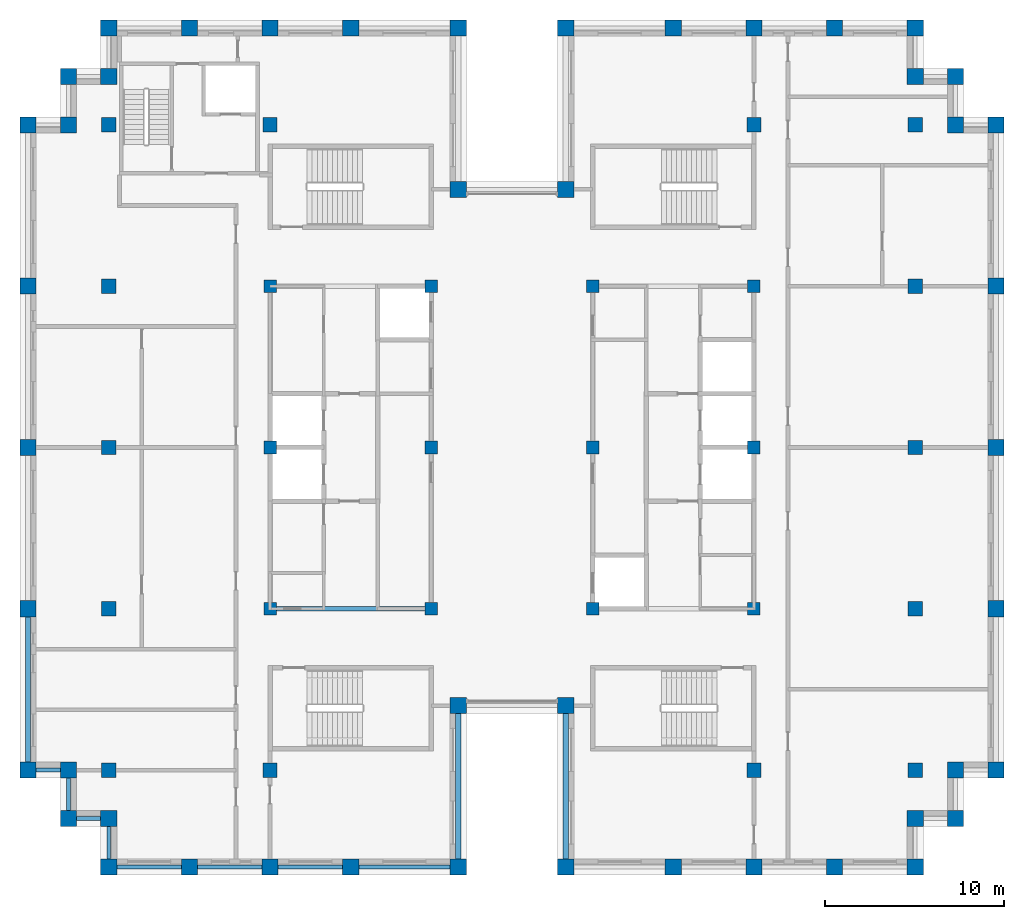
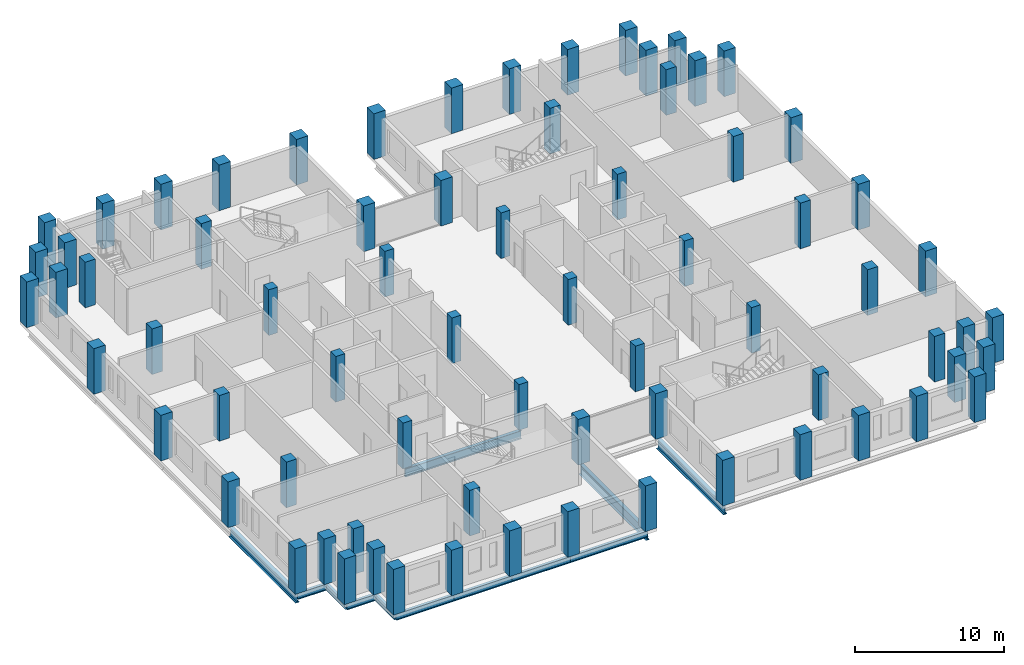
# One storey, part 1 of 13: 72 columns, 12 beams.
"""IFC4 building model written with IfcOpenShell, lengths in metres."""

from ifc_helpers import new_model, si_unit, direction, frame, origin, origin_2d, place, context, subcontext, project, spatial, rectangle, i_section, extrude, material, material_profile, profile_set, type_object, element, save


model = new_model("IFC4")

# Units and contexts
model_context = context("Model", 3, precision=1e-05, world=origin(), true_north=direction((0.0, 1.0)))
body_context = subcontext(model_context, "Body", "Model", "MODEL_VIEW")
ifc_project = project(units=[si_unit("LENGTHUNIT", "METRE"), si_unit("AREAUNIT", "SQUARE_METRE"), si_unit("VOLUMEUNIT", "CUBIC_METRE"), si_unit("PLANEANGLEUNIT", "RADIAN"), si_unit("MASSUNIT", "GRAM", prefix="KILO")], contexts=[model_context])

# Site, building, storey
site_placement = place(None, origin())
site = spatial("IfcSite", under=ifc_project, at=site_placement, CompositionType="ELEMENT")
building_placement = place(site_placement, origin())
building = spatial("IfcBuilding", under=site, at=building_placement, Name="Corbelhall Arena Tower", CompositionType="ELEMENT")
storey_placement = place(building_placement, frame((0.0, 0.0, 304.0)))
storey = spatial("IfcBuildingStorey", under=building, at=storey_placement, Name="L66", CompositionType="ELEMENT", Elevation=304.0)

# Columns
ifc_material_1 = material(Name="Concrete C80/95", Category="concrete")
ifc_material_profile_1 = material_profile(ifc_material_1, rectangle(XDim=0.699951171875, YDim=0.699951171875, at=origin_2d()))
ifc_profile_set_1 = profile_set([ifc_material_profile_1], Name="Concrete C80/95")
column_type_1 = type_object("IfcColumnType", Name="ST-COL-RC 700x700", PredefinedType="COLUMN", material=ifc_profile_set_1)
for number, where, z_axis, x_axis, name in (
    (1, (4.5, 0.0, 0.0), (0.0, 0.0, 1.0), (1.0, 0.0, 0.0), "Column KE+0450+0000"),
    (2, (4.5, 9.0, 0.0), (0.0, 0.0, 1.0), (1.0, 0.0, 0.0), "Column KE+0450+0900"),
    (3, (4.5, -9.0, 0.0), (0.0, 0.0, 1.0), (1.0, 0.0, 0.0), "Column KE+0450-0900"),
    (4, (13.5, 0.0, 0.0), (0.0, 0.0, 1.0), (1.0, 0.0, 0.0), "Column KE+1350+0000"),
    (5, (13.5, 9.0, 0.0), (0.0, 0.0, 1.0), (1.0, 0.0, 0.0), "Column KE+1350+0900"),
    (6, (13.5, -9.0, 0.0), (0.0, 0.0, 1.0), (1.0, 0.0, 0.0), "Column KE+1350-0900"),
    (7, (-4.5, 0.0, 0.0), (0.0, 0.0, 1.0), (1.0, 0.0, 0.0), "Column KW-0450+0000"),
    (8, (-4.5, 9.0, 0.0), (0.0, 0.0, 1.0), (1.0, 0.0, 0.0), "Column KW-0450+0900"),
    (9, (-4.5, -9.0, 0.0), (0.0, 0.0, 1.0), (1.0, 0.0, 0.0), "Column KW-0450-0900"),
    (10, (-13.5, 0.0, 0.0), (0.0, 0.0, 1.0), (1.0, 0.0, 0.0), "Column KW-1350+0000"),
    (11, (-13.5, 9.0, 0.0), (0.0, 0.0, 1.0), (1.0, 0.0, 0.0), "Column KW-1350+0900"),
    (12, (-13.5, -9.0, 0.0), (0.0, 0.0, 1.0), (1.0, 0.0, 0.0), "Column KW-1350-0900"),
):
    element("IfcColumn", number, at=place(storey_placement, frame(where, z_axis=z_axis, x_axis=x_axis)), inside=storey, type_object=column_type_1, Name=name, PredefinedType="COLUMN", context=body_context, shape_type="SweptSolid", body=[
        extrude(rectangle(XDim=0.699951171875, YDim=0.699951171875, at=origin_2d()), origin(), (0.0, 0.0, 1.0), 3.739990234375),
    ])
ifc_material_profile_2 = material_profile(ifc_material_1, rectangle(XDim=0.800048828125, YDim=0.800048828125, at=origin_2d()))
ifc_profile_set_2 = profile_set([ifc_material_profile_2], Name="Concrete C80/95")
column_type_2 = type_object("IfcColumnType", Name="ST-COL-RC 800x800", PredefinedType="COLUMN", material=ifc_profile_set_2)
for number, where, z_axis, x_axis, name in (
    (13, (13.5, 18.0, 0.0), (0.0, 0.0, 1.0), (1.0, 0.0, 0.0), "Column IE13+1800"),
    (14, (13.5, -18.0, 0.0), (0.0, 0.0, 1.0), (1.0, 0.0, 0.0), "Column IE13-1800"),
    (15, (22.5, 0.0, 0.0), (0.0, 0.0, 1.0), (1.0, 0.0, 0.0), "Column IE22+0000"),
    (16, (22.5, 9.0, 0.0), (0.0, 0.0, 1.0), (1.0, 0.0, 0.0), "Column IE22+0900"),
    (17, (22.5, 18.0, 0.0), (0.0, 0.0, 1.0), (1.0, 0.0, 0.0), "Column IE22+1800"),
    (18, (22.5, -9.0, 0.0), (0.0, 0.0, 1.0), (1.0, 0.0, 0.0), "Column IE22-0900"),
    (19, (22.5, -18.0, 0.0), (0.0, 0.0, 1.0), (1.0, 0.0, 0.0), "Column IE22-1800"),
    (20, (-13.5, 18.0, 0.0), (0.0, 0.0, 1.0), (1.0, 0.0, 0.0), "Column IW13+1800"),
    (21, (-13.5, -18.0, 0.0), (0.0, 0.0, 1.0), (1.0, 0.0, 0.0), "Column IW13-1800"),
    (22, (-22.5, 0.0, 0.0), (0.0, 0.0, 1.0), (1.0, 0.0, 0.0), "Column IW22+0000"),
    (23, (-22.5, 9.0, 0.0), (0.0, 0.0, 1.0), (1.0, 0.0, 0.0), "Column IW22+0900"),
    (24, (-22.5, 18.0, 0.0), (0.0, 0.0, 1.0), (1.0, 0.0, 0.0), "Column IW22+1800"),
    (25, (-22.5, -9.0, 0.0), (0.0, 0.0, 1.0), (1.0, 0.0, 0.0), "Column IW22-0900"),
    (26, (-22.5, -18.0, 0.0), (0.0, 0.0, 1.0), (1.0, 0.0, 0.0), "Column IW22-1800"),
):
    element("IfcColumn", number, at=place(storey_placement, frame(where, z_axis=z_axis, x_axis=x_axis)), inside=storey, type_object=column_type_2, Name=name, PredefinedType="COLUMN", context=body_context, shape_type="SweptSolid", body=[
        extrude(rectangle(XDim=0.800048828125, YDim=0.800048828125, at=origin_2d()), origin(), (0.0, 0.0, 1.0), 3.739990234375),
    ])
ifc_material_profile_3 = material_profile(ifc_material_1, rectangle(XDim=0.89990234375, YDim=0.89990234375, at=origin_2d()))
ifc_profile_set_3 = profile_set([ifc_material_profile_3], Name="Concrete C80/95")
column_type_3 = type_object("IfcColumnType", Name="ST-COL-RC 900x900", PredefinedType="COLUMN", material=ifc_profile_set_3)
for number, where, z_axis, x_axis, name in (
    (27, (27.0, 0.0, 0.0), (0.0, 0.0, 1.0), (0.0, 1.0, 0.0), "Column PE+0000"),
    (28, (27.0, 9.0, 0.0), (0.0, 0.0, 1.0), (0.0, 1.0, 0.0), "Column PE+0900"),
    (29, (27.0, 18.0, 0.0), (0.0, 0.0, 1.0), (0.0, 1.0, 0.0), "Column PE+1800"),
    (30, (27.0, -9.0, 0.0), (0.0, 0.0, 1.0), (0.0, 1.0, 0.0), "Column PE-0900"),
    (31, (27.0, -18.0, 0.0), (0.0, 0.0, 1.0), (0.0, 1.0, 0.0), "Column PE-1800"),
    (32, (3.0, 23.39990234375, 0.0), (0.0, 0.0, 1.0), (1.0, 0.0, 0.0), "Column PNE0300"),
    (33, (9.0, 23.39990234375, 0.0), (0.0, 0.0, 1.0), (1.0, 0.0, 0.0), "Column PNE0900"),
    (34, (13.5, 23.39990234375, 0.0), (0.0, 0.0, 1.0), (1.0, 0.0, 0.0), "Column PNE1350"),
    (35, (18.0, 23.39990234375, 0.0), (0.0, 0.0, 1.0), (1.0, 0.0, 0.0), "Column PNE1800"),
    (36, (22.5, 23.39990234375, 0.0), (0.0, 0.0, 1.0), (1.0, 0.0, 0.0), "Column PNE2250"),
    (37, (-3.0, 23.39990234375, 0.0), (0.0, 0.0, 1.0), (1.0, 0.0, 0.0), "Column PNW0300"),
    (38, (-9.0, 23.39990234375, 0.0), (0.0, 0.0, 1.0), (1.0, 0.0, 0.0), "Column PNW0900"),
    (39, (-13.5, 23.39990234375, 0.0), (0.0, 0.0, 1.0), (1.0, 0.0, 0.0), "Column PNW1350"),
    (40, (-18.0, 23.39990234375, 0.0), (0.0, 0.0, 1.0), (1.0, 0.0, 0.0), "Column PNW1800"),
    (41, (-22.5, 23.39990234375, 0.0), (0.0, 0.0, 1.0), (1.0, 0.0, 0.0), "Column PNW2250"),
    (42, (3.0, -23.39990234375, 0.0), (0.0, 0.0, 1.0), (1.0, 0.0, 0.0), "Column PSE0300"),
    (43, (9.0, -23.39990234375, 0.0), (0.0, 0.0, 1.0), (1.0, 0.0, 0.0), "Column PSE0900"),
    (44, (13.5, -23.39990234375, 0.0), (0.0, 0.0, 1.0), (1.0, 0.0, 0.0), "Column PSE1350"),
    (45, (18.0, -23.39990234375, 0.0), (0.0, 0.0, 1.0), (1.0, 0.0, 0.0), "Column PSE1800"),
    (46, (22.5, -23.39990234375, 0.0), (0.0, 0.0, 1.0), (1.0, 0.0, 0.0), "Column PSE2250"),
    (47, (-3.0, -23.39990234375, 0.0), (0.0, 0.0, 1.0), (1.0, 0.0, 0.0), "Column PSW0300"),
    (48, (-9.0, -23.39990234375, 0.0), (0.0, 0.0, 1.0), (1.0, 0.0, 0.0), "Column PSW0900"),
    (49, (-13.5, -23.39990234375, 0.0), (0.0, 0.0, 1.0), (1.0, 0.0, 0.0), "Column PSW1350"),
    (50, (-18.0, -23.39990234375, 0.0), (0.0, 0.0, 1.0), (1.0, 0.0, 0.0), "Column PSW1800"),
    (51, (-22.5, -23.39990234375, 0.0), (0.0, 0.0, 1.0), (1.0, 0.0, 0.0), "Column PSW2250"),
    (52, (-27.0, 0.0, 0.0), (0.0, 0.0, 1.0), (0.0, 1.0, 0.0), "Column PW+0000"),
    (53, (-27.0, 9.0, 0.0), (0.0, 0.0, 1.0), (0.0, 1.0, 0.0), "Column PW+0900"),
    (54, (-27.0, 18.0, 0.0), (0.0, 0.0, 1.0), (0.0, 1.0, 0.0), "Column PW+1800"),
    (55, (-27.0, -9.0, 0.0), (0.0, 0.0, 1.0), (0.0, 1.0, 0.0), "Column PW-0900"),
    (56, (-27.0, -18.0, 0.0), (0.0, 0.0, 1.0), (0.0, 1.0, 0.0), "Column PW-1800"),
    (57, (3.0, 14.39990234375, 0.0), (0.0, 0.0, 1.0), (1.0, 0.0, 0.0), "Column SLNE2"),
    (58, (-3.0, 14.39990234375, 0.0), (0.0, 0.0, 1.0), (1.0, 0.0, 0.0), "Column SLNW2"),
    (59, (3.0, -14.39990234375, 0.0), (0.0, 0.0, 1.0), (1.0, 0.0, 0.0), "Column SLSE2"),
    (60, (-3.0, -14.39990234375, 0.0), (0.0, 0.0, 1.0), (1.0, 0.0, 0.0), "Column SLSW2"),
    (61, (22.5, 20.699951171875, 0.0), (0.0, 0.0, 1.0), (1.0, 0.0, 0.0), "Column XNE1"),
    (62, (24.75, 20.699951171875, 0.0), (0.0, 0.0, 1.0), (1.0, 0.0, 0.0), "Column XNE2"),
    (63, (24.75, 18.0, 0.0), (0.0, 0.0, 1.0), (1.0, 0.0, 0.0), "Column XNE3"),
    (64, (-22.5, 20.699951171875, 0.0), (0.0, 0.0, 1.0), (1.0, 0.0, 0.0), "Column XNW1"),
    (65, (-24.75, 20.699951171875, 0.0), (0.0, 0.0, 1.0), (1.0, 0.0, 0.0), "Column XNW2"),
    (66, (-24.75, 18.0, 0.0), (0.0, 0.0, 1.0), (1.0, 0.0, 0.0), "Column XNW3"),
    (67, (22.5, -20.699951171875, 0.0), (0.0, 0.0, 1.0), (1.0, 0.0, 0.0), "Column XSE1"),
    (68, (24.75, -20.699951171875, 0.0), (0.0, 0.0, 1.0), (1.0, 0.0, 0.0), "Column XSE2"),
    (69, (24.75, -18.0, 0.0), (0.0, 0.0, 1.0), (1.0, 0.0, 0.0), "Column XSE3"),
    (70, (-22.5, -20.699951171875, 0.0), (0.0, 0.0, 1.0), (1.0, 0.0, 0.0), "Column XSW1"),
    (71, (-24.75, -20.699951171875, 0.0), (0.0, 0.0, 1.0), (1.0, 0.0, 0.0), "Column XSW2"),
    (72, (-24.75, -18.0, 0.0), (0.0, 0.0, 1.0), (1.0, 0.0, 0.0), "Column XSW3"),
):
    element("IfcColumn", number, at=place(storey_placement, frame(where, z_axis=z_axis, x_axis=x_axis)), inside=storey, type_object=column_type_3, Name=name, PredefinedType="COLUMN", context=body_context, shape_type="SweptSolid", body=[
        extrude(rectangle(XDim=0.89990234375, YDim=0.89990234375, at=origin_2d()), origin(), (0.0, 0.0, 1.0), 3.739990234375),
    ])

# Beams
ifc_material_2 = material(Name="Steel ASTM A992 Gr50", Category="steel")
ifc_material_profile_4 = material_profile(ifc_material_2, i_section(OverallWidth=0.25390625, OverallDepth=0.67822265625, WebThickness=0.01171875, FlangeThickness=0.016357421875, at=origin_2d()))
ifc_profile_set_4 = profile_set([ifc_material_profile_4], Name="Steel ASTM A992 Gr50")
beam_type_1 = type_object("IfcBeamType", Name="ST-BEAM-W27x84", PredefinedType="BEAM", material=ifc_profile_set_4)
beam_1_placement = place(storey_placement, frame((-13.5, -9.0, -0.59912109375), z_axis=(1.0, 0.0, 0.0), x_axis=(0.0, 1.0, 0.0)))
element("IfcBeam", 73, at=beam_1_placement, inside=storey, type_object=beam_type_1, Name="Beam CEW 5", PredefinedType="BEAM", context=body_context, shape_type="SweptSolid", body=[
    extrude(i_section(OverallWidth=0.25390625, OverallDepth=0.67822265625, WebThickness=0.01171875, FlangeThickness=0.016357421875, at=origin_2d()), origin(), (0.0, 0.0, 1.0), 9.0),
])
ifc_material_profile_5 = material_profile(ifc_material_2, i_section(OverallWidth=0.209228515625, OverallDepth=0.533447265625, WebThickness=0.01025390625, FlangeThickness=0.015625, at=origin_2d()))
ifc_profile_set_5 = profile_set([ifc_material_profile_5], Name="Steel ASTM A992 Gr50")
beam_type_2 = type_object("IfcBeamType", Name="ST-SPANDREL-W21x62", PredefinedType="SPANDREL", material=ifc_profile_set_5)
beam_2_placement = place(storey_placement, frame((-3.0, -23.39990234375, -0.526611328125), z_axis=(-1.0, 0.0, 0.0), x_axis=(0.0, -1.0, 0.0)))
element("IfcBeam", 74, at=beam_2_placement, inside=storey, type_object=beam_type_2, Name="Beam SP 21", PredefinedType="SPANDREL", context=body_context, shape_type="SweptSolid", body=[
    extrude(i_section(OverallWidth=0.209228515625, OverallDepth=0.533447265625, WebThickness=0.01025390625, FlangeThickness=0.015625, at=origin_2d()), origin(), (0.0, 0.0, 1.0), 6.0),
])
for number, where, z_axis, x_axis, name in (
    (75, (-9.0, -23.39990234375, -0.526611328125), (-1.0, 0.0, 0.0), (0.0, -1.0, 0.0), "Beam SP 22"),
    (76, (-13.5, -23.39990234375, -0.526611328125), (-1.0, 0.0, 0.0), (0.0, -1.0, 0.0), "Beam SP 23"),
    (77, (-18.0, -23.39990234375, -0.526611328125), (-1.0, 0.0, 0.0), (0.0, -1.0, 0.0), "Beam SP 24"),
):
    element("IfcBeam", number, at=place(storey_placement, frame(where, z_axis=z_axis, x_axis=x_axis)), inside=storey, type_object=beam_type_2, Name=name, PredefinedType="SPANDREL", context=body_context, shape_type="SweptSolid", body=[
        extrude(i_section(OverallWidth=0.209228515625, OverallDepth=0.533447265625, WebThickness=0.01025390625, FlangeThickness=0.015625, at=origin_2d()), origin(), (0.0, 0.0, 1.0), 4.5),
    ])
beam_3_placement = place(storey_placement, frame((-22.5, -23.39990234375, -0.526611328125), z_axis=(0.0, 1.0, 0.0), x_axis=(-1.0, 0.0, 0.0)))
element("IfcBeam", 78, at=beam_3_placement, inside=storey, type_object=beam_type_2, Name="Beam SP 25", PredefinedType="SPANDREL", context=body_context, shape_type="SweptSolid", body=[
    extrude(i_section(OverallWidth=0.209228515625, OverallDepth=0.533447265625, WebThickness=0.01025390625, FlangeThickness=0.015625, at=origin_2d()), origin(), (0.0, 0.0, 1.0), 2.699951171875),
])
beam_4_placement = place(storey_placement, frame((-22.5, -20.699951171875, -0.526611328125), z_axis=(-1.0, 0.0, 0.0), x_axis=(0.0, -1.0, 0.0)))
element("IfcBeam", 79, at=beam_4_placement, inside=storey, type_object=beam_type_2, Name="Beam SP 44", PredefinedType="SPANDREL", context=body_context, shape_type="SweptSolid", body=[
    extrude(i_section(OverallWidth=0.209228515625, OverallDepth=0.533447265625, WebThickness=0.01025390625, FlangeThickness=0.015625, at=origin_2d()), origin(), (0.0, 0.0, 1.0), 2.25),
])
beam_5_placement = place(storey_placement, frame((-24.75, -20.699951171875, -0.526611328125), z_axis=(0.0, 1.0, 0.0), x_axis=(-1.0, 0.0, 0.0)))
element("IfcBeam", 80, at=beam_5_placement, inside=storey, type_object=beam_type_2, Name="Beam SP 45", PredefinedType="SPANDREL", context=body_context, shape_type="SweptSolid", body=[
    extrude(i_section(OverallWidth=0.209228515625, OverallDepth=0.533447265625, WebThickness=0.01025390625, FlangeThickness=0.015625, at=origin_2d()), origin(), (0.0, 0.0, 1.0), 2.699951171875),
])
beam_6_placement = place(storey_placement, frame((-24.75, -18.0, -0.526611328125), z_axis=(-1.0, 0.0, 0.0), x_axis=(0.0, -1.0, 0.0)))
element("IfcBeam", 81, at=beam_6_placement, inside=storey, type_object=beam_type_2, Name="Beam SP 46", PredefinedType="SPANDREL", context=body_context, shape_type="SweptSolid", body=[
    extrude(i_section(OverallWidth=0.209228515625, OverallDepth=0.533447265625, WebThickness=0.01025390625, FlangeThickness=0.015625, at=origin_2d()), origin(), (0.0, 0.0, 1.0), 2.25),
])
ifc_material_profile_6 = material_profile(ifc_material_2, i_section(OverallWidth=0.2919921875, OverallDepth=0.845703125, WebThickness=0.015380859375, FlangeThickness=0.0244140625, at=origin_2d()))
ifc_profile_set_6 = profile_set([ifc_material_profile_6], Name="Steel ASTM A992 Gr50")
beam_type_3 = type_object("IfcBeamType", Name="ST-SPANDREL-W33x141", PredefinedType="SPANDREL", material=ifc_profile_set_6)
for number, where, z_axis, x_axis, name in (
    (82, (3.0, -23.39990234375, -0.682861328125), (0.0, 1.0, 0.0), (-1.0, 0.0, 0.0), "Beam SP 16"),
    (83, (-27.0, -18.0, -0.682861328125), (0.0, 1.0, 0.0), (-1.0, 0.0, 0.0), "Beam SP 30"),
    (84, (-3.0, -14.39990234375, -0.682861328125), (0.0, -1.0, 0.0), (1.0, 0.0, 0.0), "Beam SP 34"),
):
    element("IfcBeam", number, at=place(storey_placement, frame(where, z_axis=z_axis, x_axis=x_axis)), inside=storey, type_object=beam_type_3, Name=name, PredefinedType="SPANDREL", context=body_context, shape_type="SweptSolid", body=[
        extrude(i_section(OverallWidth=0.2919921875, OverallDepth=0.845703125, WebThickness=0.015380859375, FlangeThickness=0.0244140625, at=origin_2d()), origin(), (0.0, 0.0, 1.0), 9.0),
    ])

save(model, "model.ifc")
